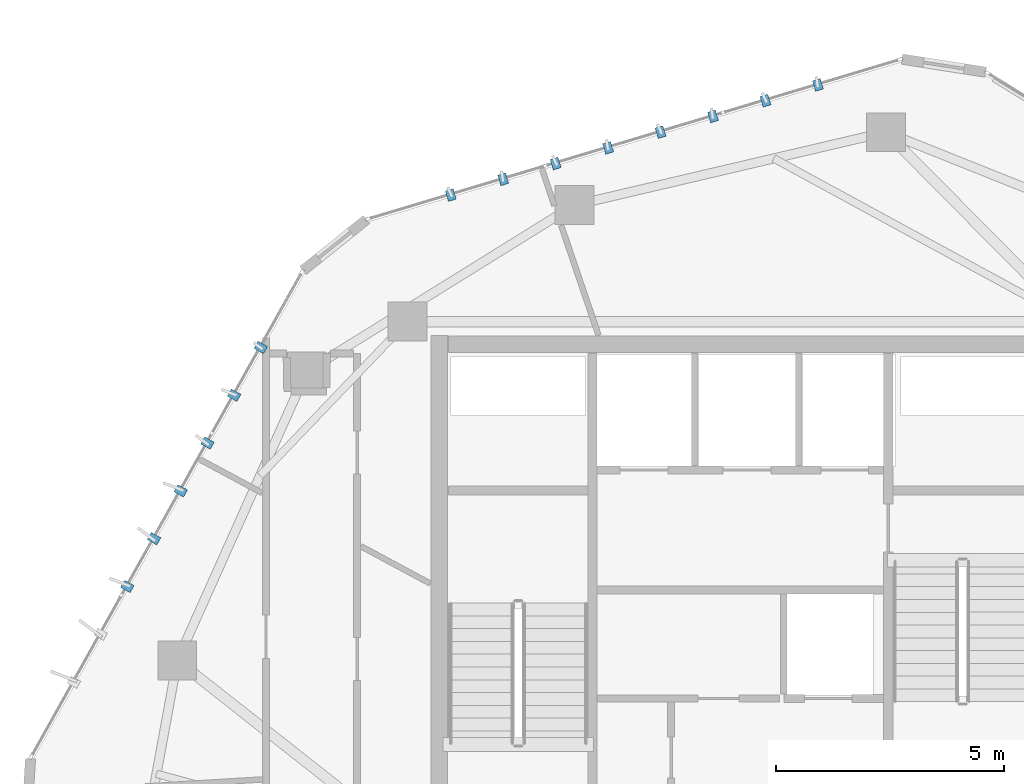
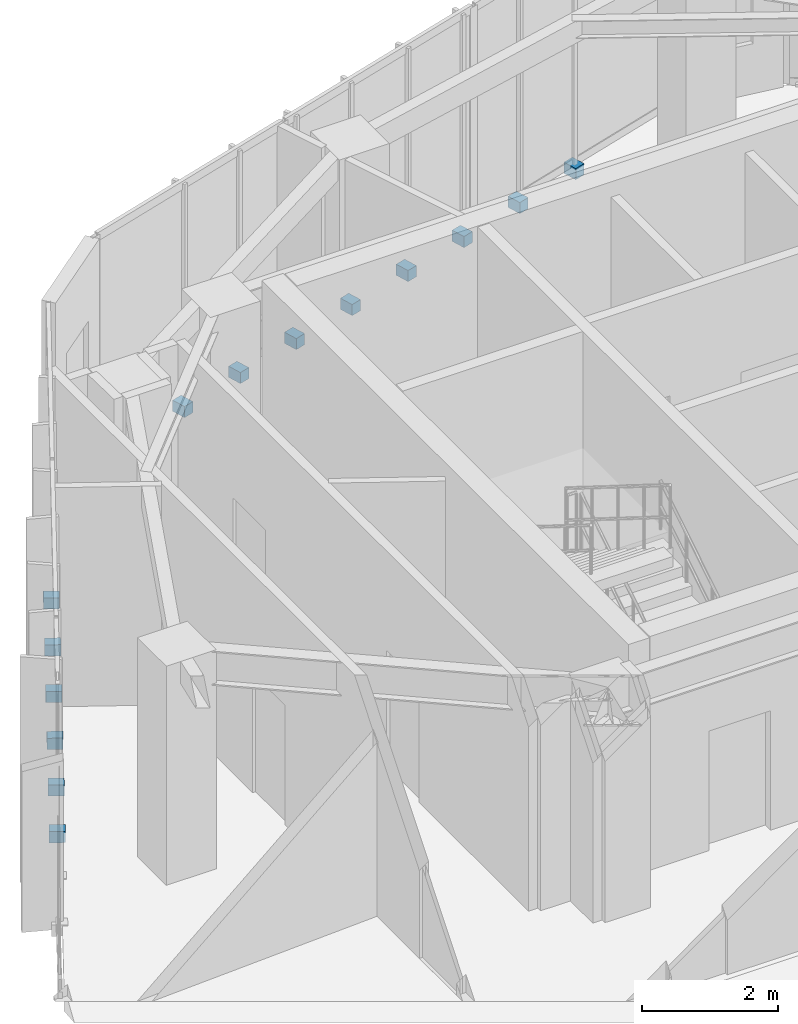
# One storey, part 18 of 20: 14 discrete accessories.
"""IFC4 building model written with IfcOpenShell, lengths in metres."""

from ifc_helpers import new_model, si_unit, direction, frame, origin, origin_2d, place, context, subcontext, project, spatial, rectangle, extrude, source, transform, mapped, material, type_object, type_shapes, element, save


model = new_model("IFC4")

# Units and contexts
model_context = context("Model", 3, precision=1e-05, world=origin(), true_north=direction((0.0, 1.0)))
body_context = subcontext(model_context, "Body", "Model", "MODEL_VIEW")
ifc_project = project(units=[si_unit("LENGTHUNIT", "METRE"), si_unit("AREAUNIT", "SQUARE_METRE"), si_unit("VOLUMEUNIT", "CUBIC_METRE"), si_unit("PLANEANGLEUNIT", "RADIAN"), si_unit("MASSUNIT", "GRAM", prefix="KILO")], contexts=[model_context])

# Site, building, storey
site_placement = place(None, origin())
site = spatial("IfcSite", under=ifc_project, at=site_placement, CompositionType="ELEMENT")
building_placement = place(site_placement, origin())
building = spatial("IfcBuilding", under=site, at=building_placement, Name="Talar Marvaseh", CompositionType="ELEMENT")
storey_placement = place(building_placement, frame((0.0, 0.0, 291.800048828125)))
storey = spatial("IfcBuildingStorey", under=building, at=storey_placement, Name="L78", CompositionType="ELEMENT", Elevation=291.800048828125)

# Discrete accessories
ifc_material = material(Name="Stainless Steel Grade 316", Category="steel")
discrete_accessory_type = type_object("IfcDiscreteAccessoryType", Name="Stainless Slab-Edge Fin Mounting Bracket", PredefinedType="BRACKET", material=ifc_material)
shared_shape = source(origin(), body_context, "Body", "SweptSolid", [
    extrude(rectangle(XDim=0.239990234375, YDim=0.179931640625, at=origin_2d()), origin(), (0.0, 0.0, 1.0), 0.199951171875),
])
type_shapes(discrete_accessory_type, [shared_shape])
for number, where, z_axis, x_axis, name in (
    (1, (12.5625, 31.09521484375, -0.18017578125), (0.0, 0.0, 1.0), (-0.873092319232, 0.487554922136, 0.0), "L78 Vertical Fin Slab-Edge Bracket"),
    (2, (13.147705078125, 32.142822265625, -0.18017578125), (0.0, 0.0, 1.0), (-0.873092319232, 0.487554922136, 0.0), "L78 Vertical Fin Slab-Edge Bracket"),
    (3, (13.73291015625, 33.190673828125, -0.18017578125), (0.0, 0.0, 1.0), (-0.873092319232, 0.487554922136, 0.0), "L78 Vertical Fin Slab-Edge Bracket"),
    (4, (14.31787109375, 34.23828125, -0.18017578125), (0.0, 0.0, 1.0), (-0.873092319232, 0.487554922136, 0.0), "L78 Vertical Fin Slab-Edge Bracket"),
    (5, (14.903076171875, 35.285888671875, -0.18017578125), (0.0, 0.0, 1.0), (-0.873092319232, 0.487554922136, 0.0), "L78 Vertical Fin Slab-Edge Bracket"),
    (6, (15.488037109375, 36.333740234375, -0.18017578125), (0.0, 0.0, 1.0), (-0.873092319232, 0.487554922136, 0.0), "L78 Vertical Fin Slab-Edge Bracket"),
    (7, (19.65087890625, 39.6748046875, -0.18017578125), (0.0, 0.0, 1.0), (-0.287026159226, 0.957922744234, 0.0), "L78 Vertical Fin Slab-Edge Bracket"),
    (8, (20.80029296875, 40.019287109375, -0.18017578125), (0.0, 0.0, 1.0), (-0.287026159226, 0.957922744234, 0.0), "L78 Vertical Fin Slab-Edge Bracket"),
    (9, (21.949951171875, 40.36376953125, -0.18017578125), (0.0, 0.0, 1.0), (-0.287026159226, 0.957922744234, 0.0), "L78 Vertical Fin Slab-Edge Bracket"),
    (10, (23.099365234375, 40.7080078125, -0.18017578125), (0.0, 0.0, 1.0), (-0.287026159226, 0.957922744234, 0.0), "L78 Vertical Fin Slab-Edge Bracket"),
    (11, (24.248779296875, 41.052490234375, -0.18017578125), (0.0, 0.0, 1.0), (-0.287026159226, 0.957922744234, 0.0), "L78 Vertical Fin Slab-Edge Bracket"),
    (12, (25.3984375, 41.397216796875, -0.18017578125), (0.0, 0.0, 1.0), (-0.287026159226, 0.957922744234, 0.0), "L78 Vertical Fin Slab-Edge Bracket"),
    (13, (26.5478515625, 41.74169921875, -0.18017578125), (0.0, 0.0, 1.0), (-0.287026159226, 0.957922744234, 0.0), "L78 Vertical Fin Slab-Edge Bracket"),
    (14, (27.697509765625, 42.0859375, -0.18017578125), (0.0, 0.0, 1.0), (-0.287026159226, 0.957922744234, 0.0), "L78 Vertical Fin Slab-Edge Bracket"),
):
    element("IfcDiscreteAccessory", number, at=place(storey_placement, frame(where, z_axis=z_axis, x_axis=x_axis)), inside=storey, type_object=discrete_accessory_type, Name=name, PredefinedType="BRACKET", context=body_context, shape_type="MappedRepresentation", body=[
        mapped(shared_shape, transform((0.0, 0.0, 0.0), x_axis=(1.0, 0.0, 0.0), y_axis=(0.0, 1.0, 0.0), z_axis=(0.0, 0.0, 1.0), scale=1.0)),
    ])

save(model, "model.ifc")
